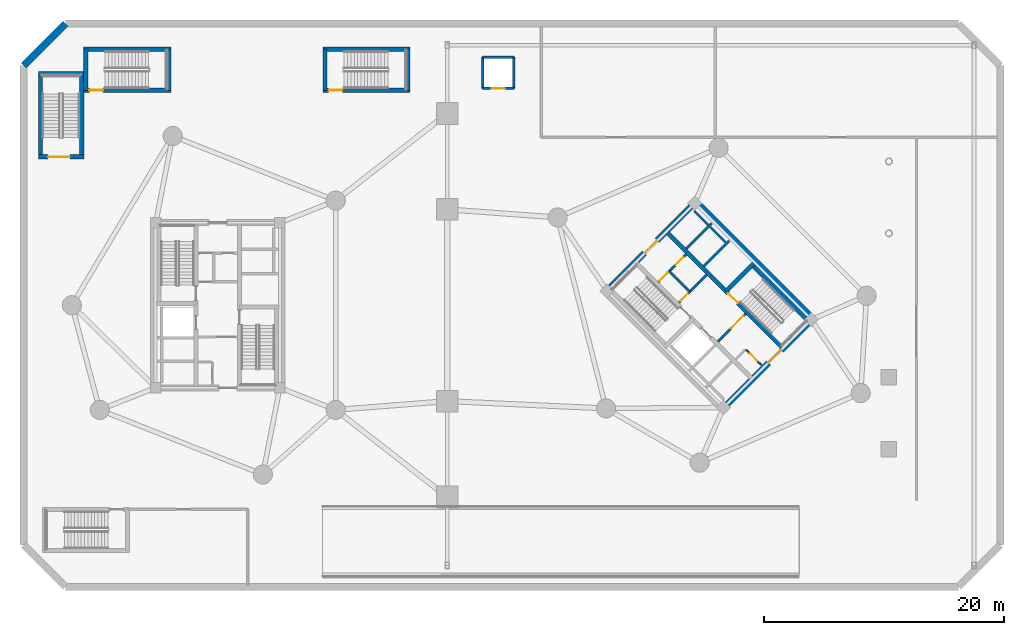
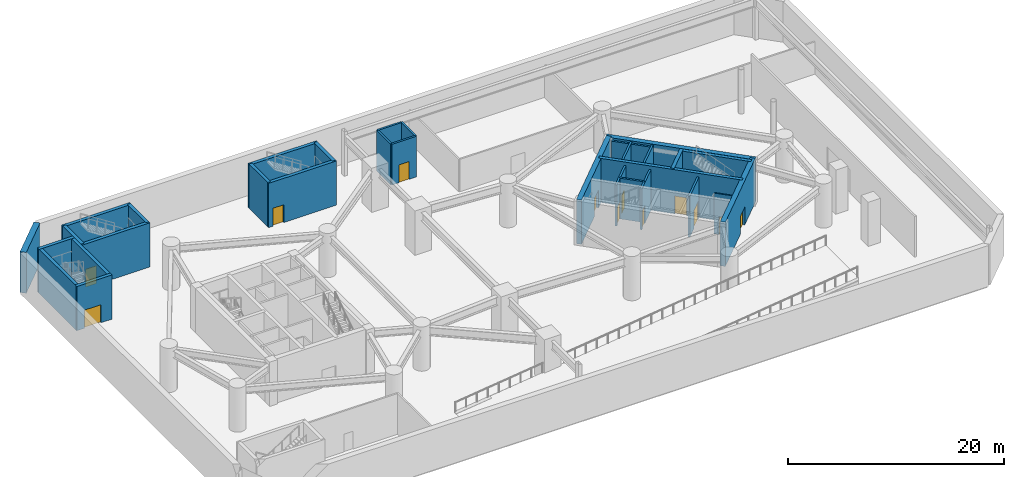
# One storey, part 7 of 14: 32 walls, 12 doors, 12 openings.
"""IFC4 building model written with IfcOpenShell, lengths in metres."""

from ifc_helpers import new_model, si_unit, direction, frame, frame_2d, origin, place, context, subcontext, project, spatial, rectangle, extrude, source, transform, mapped, material, layer, layer_set, type_object, element, fill, save


model = new_model("IFC4")

# Units and contexts
model_context = context("Model", 3, precision=1e-05, world=origin(), true_north=direction((0.0, 1.0)))
body_context = subcontext(model_context, "Body", "Model", "MODEL_VIEW")
ifc_project = project(units=[si_unit("LENGTHUNIT", "METRE"), si_unit("AREAUNIT", "SQUARE_METRE"), si_unit("VOLUMEUNIT", "CUBIC_METRE"), si_unit("PLANEANGLEUNIT", "RADIAN"), si_unit("MASSUNIT", "GRAM", prefix="KILO")], contexts=[model_context])

# Site, building, storey
site_placement = place(None, origin())
site = spatial("IfcSite", under=ifc_project, at=site_placement, CompositionType="ELEMENT")
building_placement = place(site_placement, origin())
building = spatial("IfcBuilding", under=site, at=building_placement, Name="Cununo Teusaquillo Station Towers", CompositionType="ELEMENT")
storey_placement = place(building_placement, frame((0.0, 0.0, -5.0)))
storey = spatial("IfcBuildingStorey", under=building, at=storey_placement, Name="B01", CompositionType="ELEMENT", Elevation=-5.0)

# Walls
ifc_material_1 = material(Name="Concrete C50/60", Category="concrete")
ifc_layer_1 = layer(ifc_material_1, 0.199951171875)
ifc_layer_set_1 = layer_set([ifc_layer_1], Name="Concrete C50/60")
wall_type_1 = type_object("IfcWallType", Name="WL-CORE-200", PredefinedType="SHEAR", material=ifc_layer_set_1)
wall_1_placement = place(storey_placement, frame((57.0615234375, 27.781005859375, 0.0), z_axis=(0.0, 0.0, 1.0), x_axis=(0.707106781187, 0.707106781187, 0.0)))
element("IfcWall", 1, at=wall_1_placement, inside=storey, type_object=wall_type_1, Name="B01 Tower B Low-Rise Lift Hoistway South Shear Wall", PredefinedType="SHEAR", context=body_context, shape_type="SweptSolid", body=[
    extrude(rectangle(XDim=2.969970703125, YDim=0.199951171875, at=frame_2d((1.48486328125, 0.0))), origin(), (0.0, 0.0, 1.0), 5.0),
])
wall_2_placement = place(storey_placement, frame((55.615478515625, 29.22705078125, 0.0), z_axis=(0.0, 0.0, 1.0), x_axis=(0.707147878904, 0.70706568108, 0.0)))
element("IfcWall", 2, at=wall_2_placement, inside=storey, type_object=wall_type_1, Name="B01 Tower B Low-Rise Lift Hoistway Divider Shear Wall", PredefinedType="SHEAR", context=body_context, shape_type="SweptSolid", body=[
    extrude(rectangle(XDim=2.97021484375, YDim=0.199951171875, at=frame_2d((1.485107421875, 0.0))), origin(), (0.0, 0.0, 1.0), 5.0),
])
wall_3_placement = place(storey_placement, frame((58.86474609375, 29.75390625, 0.0), z_axis=(0.0, 0.0, 1.0), x_axis=(-0.707174411312, 0.707039144592, 0.0)))
element("IfcWall", 3, at=wall_3_placement, inside=storey, type_object=wall_type_1, Name="B01 Tower B Low-Rise Lift 1 Shaft Rear Shear Wall", PredefinedType="SHEAR", context=body_context, shape_type="SweptSolid", body=[
    extrude(rectangle(XDim=1.804931640625, YDim=0.199951171875, at=frame_2d((0.90234375, 0.0))), origin(), (0.0, 0.0, 1.0), 5.0),
])
wall_4_placement = place(storey_placement, frame((57.418701171875, 31.19970703125, 0.0), z_axis=(0.0, 0.0, 1.0), x_axis=(-0.707032117043, 0.707181437447, 0.0)))
element("IfcWall", 4, at=wall_4_placement, inside=storey, type_object=wall_type_1, Name="B01 Tower B Low-Rise Lift 2 Shaft Rear Shear Wall", PredefinedType="SHEAR", context=body_context, shape_type="SweptSolid", body=[
    extrude(rectangle(XDim=1.635009765625, YDim=0.199951171875, at=frame_2d((0.8173828125, 0.0))), origin(), (0.0, 0.0, 1.0), 5.0),
])

# Wall, opening, door
ifc_material_2 = material(Name="Concrete C50/60", Category="concrete")
ifc_layer_2 = layer(ifc_material_2, 0.35009765625)
ifc_layer_set_2 = layer_set([ifc_layer_2], Name="Concrete C50/60")
wall_type_2 = type_object("IfcWallType", Name="WL-CORE-350", PredefinedType="SHEAR", material=ifc_layer_set_2)
wall_5_placement = place(storey_placement, frame((25.260009765625, 42.43505859375, 0.0), z_axis=(0.0, 0.0, 1.0), x_axis=(1.0, 0.0, 0.0)))
wall_5 = element("IfcWall", 5, at=wall_5_placement, inside=storey, type_object=wall_type_2, Name="B01 Podium North Exit Stair Concrete Shaft Wall S", PredefinedType="SHEAR", context=body_context, shape_type="SweptSolid", body=[
    extrude(rectangle(XDim=7.280029296875, YDim=0.35009765625, at=frame_2d((3.64013671875, 0.0))), origin(), (0.0, 0.0, 1.0), 5.0),
])
shared_shape_1 = source(origin(), body_context, "Body", "SweptSolid", [
    extrude(rectangle(XDim=1.14990234375, YDim=2.02001953125, at=frame_2d((0.574951171875, 1.010009765625))), frame((0.0, 0.18505859375, 0.0), z_axis=(0.0, -1.0, 0.0), x_axis=(1.0, 0.0, 0.0)), (0.0, 0.0, 1.0), 0.3701171875),
])
opening_1_placement = place(wall_5_placement, frame((0.47998046875, 0.0, 0.0)))
opening_1 = element("IfcOpeningElement", 6, at=opening_1_placement, cuts=wall_5, Name="Opening D-ST1", PredefinedType="OPENING", context=body_context, shape_type="MappedRepresentation", body=[
    mapped(shared_shape_1, transform((0.0, 0.0, 0.0), x_axis=(1.0, 0.0, 0.0), y_axis=(0.0, 1.0, 0.0), z_axis=(0.0, 0.0, 1.0), scale=1.0)),
])
ifc_material_3 = material(Name="Galvanised fire-rated hollow steel door assembly", Category="steel")
door_type_1 = type_object("IfcDoorType", Name="DR-STAIR-1150", OperationType="NOTDEFINED", PredefinedType="DOOR", material=ifc_material_3)
shared_shape_2 = source(origin(), body_context, "Body", "SweptSolid", [
    extrude(rectangle(XDim=1.14990234375, YDim=2.02001953125, at=frame_2d((0.574951171875, 1.010009765625))), frame((0.0, 0.02490234375, 0.0), z_axis=(0.0, -1.0, 0.0), x_axis=(1.0, 0.0, 0.0)), (0.0, 0.0, 1.0), 0.050048828125),
])
door_1_placement = place(opening_1_placement, origin())
door_1 = element("IfcDoor", 7, at=door_1_placement, inside=storey, type_object=door_type_1, Name="B01 North Podium Exit Stair Door", OperationType="SINGLE_SWING_RIGHT", OverallHeight=2.02001953125, OverallWidth=1.14990234375, PredefinedType="DOOR", context=body_context, shape_type="MappedRepresentation", body=[
    mapped(shared_shape_2, transform((0.0, 0.0, 0.0), x_axis=(1.0, 0.0, 0.0), y_axis=(0.0, 1.0, 0.0), z_axis=(0.0, 0.0, 1.0), scale=1.0)),
])
fill(opening_1, door_1)

# Walls
wall_6_placement = place(storey_placement, frame((25.260009765625, 45.864990234375, 0.0), z_axis=(0.0, 0.0, 1.0), x_axis=(1.0, 0.0, 0.0)))
element("IfcWall", 8, at=wall_6_placement, inside=storey, type_object=wall_type_2, Name="B01 Podium North Exit Stair Concrete Shaft Wall N", PredefinedType="SHEAR", context=body_context, shape_type="SweptSolid", body=[
    extrude(rectangle(XDim=7.280029296875, YDim=0.35009765625, at=frame_2d((3.64013671875, 0.0))), origin(), (0.0, 0.0, 1.0), 5.0),
])
for number, where, z_axis, x_axis, name in (
    (9, (25.43505859375, 42.43505859375, 0.0), (0.0, 0.0, 1.0), (0.0, 1.0, 0.0), "B01 Podium North Exit Stair Concrete Shaft Wall W"),
    (10, (32.364990234375, 42.43505859375, 0.0), (0.0, 0.0, 1.0), (0.0, 1.0, 0.0), "B01 Podium North Exit Stair Concrete Shaft Wall E"),
):
    element("IfcWall", number, at=place(storey_placement, frame(where, z_axis=z_axis, x_axis=x_axis)), inside=storey, type_object=wall_type_2, Name=name, PredefinedType="SHEAR", context=body_context, shape_type="SweptSolid", body=[
        extrude(rectangle(XDim=3.429931640625, YDim=0.35009765625, at=frame_2d((1.71484375, 0.0))), origin(), (0.0, 0.0, 1.0), 5.0),
    ])

# Wall, opening, door
wall_7_placement = place(storey_placement, frame((1.5400390625, 36.885009765625, 0.0), z_axis=(0.0, 0.0, 1.0), x_axis=(1.0, 0.0, 0.0)))
wall_7 = element("IfcWall", 11, at=wall_7_placement, inside=storey, type_object=wall_type_2, Name="B01 Podium West Exit Stair Concrete Shaft Wall S", PredefinedType="SHEAR", context=body_context, shape_type="SweptSolid", body=[
    extrude(rectangle(XDim=3.780029296875, YDim=0.35009765625, at=frame_2d((1.89013671875, 0.0))), origin(), (0.0, 0.0, 1.0), 5.0),
])
shared_shape_3 = source(origin(), body_context, "Body", "SweptSolid", [
    extrude(rectangle(XDim=1.800048828125, YDim=2.050048828125, at=frame_2d((0.89990234375, 1.02490234375))), frame((0.0, 0.18505859375, 0.0), z_axis=(0.0, -1.0, 0.0), x_axis=(1.0, 0.0, 0.0)), (0.0, 0.0, 1.0), 0.3701171875),
])
opening_2_placement = place(wall_7_placement, frame((0.81494140625, 0.0, 0.0)))
opening_2 = element("IfcOpeningElement", 12, at=opening_2_placement, cuts=wall_7, Name="Opening D-BG1", PredefinedType="OPENING", context=body_context, shape_type="MappedRepresentation", body=[
    mapped(shared_shape_3, transform((0.0, 0.0, 0.0), x_axis=(1.0, 0.0, 0.0), y_axis=(0.0, 1.0, 0.0), z_axis=(0.0, 0.0, 1.0), scale=1.0)),
])
ifc_material_4 = material(Name="Galvanised fire-rated hollow steel door assembly", Category="steel")
door_type_2 = type_object("IfcDoorType", Name="DR-BRIDGE-1800", OperationType="DOUBLE_DOOR_SINGLE_SWING", PredefinedType="DOOR", material=ifc_material_4)
shared_shape_4 = source(origin(), body_context, "Body", "SweptSolid", [
    extrude(rectangle(XDim=1.800048828125, YDim=2.050048828125, at=frame_2d((0.89990234375, 1.02490234375))), frame((0.0, 0.02490234375, 0.0), z_axis=(0.0, -1.0, 0.0), x_axis=(1.0, 0.0, 0.0)), (0.0, 0.0, 1.0), 0.050048828125),
])
door_2_placement = place(opening_2_placement, origin())
door_2 = element("IfcDoor", 13, at=door_2_placement, inside=storey, type_object=door_type_2, Name="B01 West Podium Exit Stair Door", OperationType="DOUBLE_DOOR_SINGLE_SWING", OverallHeight=2.050048828125, OverallWidth=1.800048828125, PredefinedType="DOOR", context=body_context, shape_type="MappedRepresentation", body=[
    mapped(shared_shape_4, transform((0.0, 0.0, 0.0), x_axis=(1.0, 0.0, 0.0), y_axis=(0.0, 1.0, 0.0), z_axis=(0.0, 0.0, 1.0), scale=1.0)),
])
fill(opening_2, door_2)

# Walls
wall_8_placement = place(storey_placement, frame((1.5400390625, 43.81494140625, 0.0), z_axis=(0.0, 0.0, 1.0), x_axis=(1.0, 0.0, 0.0)))
element("IfcWall", 14, at=wall_8_placement, inside=storey, type_object=wall_type_2, Name="B01 Podium West Exit Stair Concrete Shaft Wall N", PredefinedType="SHEAR", context=body_context, shape_type="SweptSolid", body=[
    extrude(rectangle(XDim=3.780029296875, YDim=0.35009765625, at=frame_2d((1.89013671875, 0.0))), origin(), (0.0, 0.0, 1.0), 5.0),
])
for number, where, z_axis, x_axis, name in (
    (15, (1.715087890625, 36.885009765625, 0.0), (0.0, 0.0, 1.0), (0.0, 1.0, 0.0), "B01 Podium West Exit Stair Concrete Shaft Wall W"),
    (16, (5.14501953125, 36.885009765625, 0.0), (0.0, 0.0, 1.0), (0.0, 1.0, 0.0), "B01 Podium West Exit Stair Concrete Shaft Wall E"),
):
    element("IfcWall", number, at=place(storey_placement, frame(where, z_axis=z_axis, x_axis=x_axis)), inside=storey, type_object=wall_type_2, Name=name, PredefinedType="SHEAR", context=body_context, shape_type="SweptSolid", body=[
        extrude(rectangle(XDim=6.929931640625, YDim=0.35009765625, at=frame_2d((3.46484375, 0.0))), origin(), (0.0, 0.0, 1.0), 5.0),
    ])

# Wall, opening, door
wall_9_placement = place(storey_placement, frame((5.31005859375, 42.43505859375, 0.0), z_axis=(0.0, 0.0, 1.0), x_axis=(1.0, 0.0, 0.0)))
wall_9 = element("IfcWall", 17, at=wall_9_placement, inside=storey, type_object=wall_type_2, Name="B01 Podium North-West Exit Stair Concrete Shaft Wall S", PredefinedType="SHEAR", context=body_context, shape_type="SweptSolid", body=[
    extrude(rectangle(XDim=7.280029296875, YDim=0.35009765625, at=frame_2d((3.64013671875, 0.0))), origin(), (0.0, 0.0, 1.0), 5.0),
])
opening_3_placement = place(wall_9_placement, frame((0.47998046875, 0.0, 0.0)))
opening_3 = element("IfcOpeningElement", 18, at=opening_3_placement, cuts=wall_9, Name="Opening D-ST1", PredefinedType="OPENING", context=body_context, shape_type="MappedRepresentation", body=[
    mapped(shared_shape_1, transform((0.0, 0.0, 0.0), x_axis=(1.0, 0.0, 0.0), y_axis=(0.0, 1.0, 0.0), z_axis=(0.0, 0.0, 1.0), scale=1.0)),
])
door_3_placement = place(opening_3_placement, origin())
door_3 = element("IfcDoor", 19, at=door_3_placement, inside=storey, type_object=door_type_1, Name="B01 North-West Podium Exit Stair Door", OperationType="SINGLE_SWING_RIGHT", OverallHeight=2.02001953125, OverallWidth=1.14990234375, PredefinedType="DOOR", context=body_context, shape_type="MappedRepresentation", body=[
    mapped(shared_shape_2, transform((0.0, 0.0, 0.0), x_axis=(1.0, 0.0, 0.0), y_axis=(0.0, 1.0, 0.0), z_axis=(0.0, 0.0, 1.0), scale=1.0)),
])
fill(opening_3, door_3)

# Walls
wall_10_placement = place(storey_placement, frame((5.31005859375, 45.864990234375, 0.0), z_axis=(0.0, 0.0, 1.0), x_axis=(1.0, 0.0, 0.0)))
element("IfcWall", 20, at=wall_10_placement, inside=storey, type_object=wall_type_2, Name="B01 Podium North-West Exit Stair Concrete Shaft Wall N", PredefinedType="SHEAR", context=body_context, shape_type="SweptSolid", body=[
    extrude(rectangle(XDim=7.280029296875, YDim=0.35009765625, at=frame_2d((3.64013671875, 0.0))), origin(), (0.0, 0.0, 1.0), 5.0),
])
for number, where, z_axis, x_axis, name in (
    (21, (5.485107421875, 42.43505859375, 0.0), (0.0, 0.0, 1.0), (0.0, 1.0, 0.0), "B01 Podium North-West Exit Stair Concrete Shaft Wall W"),
    (22, (12.4150390625, 42.43505859375, 0.0), (0.0, 0.0, 1.0), (0.0, 1.0, 0.0), "B01 Podium North-West Exit Stair Concrete Shaft Wall E"),
):
    element("IfcWall", number, at=place(storey_placement, frame(where, z_axis=z_axis, x_axis=x_axis)), inside=storey, type_object=wall_type_2, Name=name, PredefinedType="SHEAR", context=body_context, shape_type="SweptSolid", body=[
        extrude(rectangle(XDim=3.429931640625, YDim=0.35009765625, at=frame_2d((1.71484375, 0.0))), origin(), (0.0, 0.0, 1.0), 5.0),
    ])

# Wall, opening, door
wall_11_placement = place(storey_placement, frame((63.662353515625, 20.904296875, 0.0), z_axis=(0.0, 0.0, 1.0), x_axis=(-0.707106781187, 0.707106781187, 0.0)))
wall_11 = element("IfcWall", 23, at=wall_11_placement, inside=storey, type_object=wall_type_2, Name="B01 Tower B Core Shear Wall IE", PredefinedType="SHEAR", context=body_context, shape_type="SweptSolid", body=[
    extrude(rectangle(XDim=13.800048828125, YDim=0.35009765625, at=frame_2d((6.89990234375, 0.0))), origin(), (0.0, 0.0, 1.0), 5.0),
])
opening_4_placement = place(wall_11_placement, frame((5.330078125, 0.0, 0.0)))
opening_4 = element("IfcOpeningElement", 24, at=opening_4_placement, cuts=wall_11, Name="Opening D-ST1", PredefinedType="OPENING", context=body_context, shape_type="MappedRepresentation", body=[
    mapped(shared_shape_1, transform((0.0, 0.0, 0.0), x_axis=(1.0, 0.0, 0.0), y_axis=(0.0, 1.0, 0.0), z_axis=(0.0, 0.0, 1.0), scale=1.0)),
])
door_4_placement = place(opening_4_placement, origin())
door_4 = element("IfcDoor", 25, at=door_4_placement, inside=storey, type_object=door_type_1, Name="B01 Tower B Exit Stair 2 Fire Door", OperationType="SINGLE_SWING_LEFT", OverallHeight=2.02001953125, OverallWidth=1.14990234375, PredefinedType="DOOR", context=body_context, shape_type="MappedRepresentation", body=[
    mapped(shared_shape_2, transform((0.0, 0.0, 0.0), x_axis=(1.0, 0.0, 0.0), y_axis=(0.0, 1.0, 0.0), z_axis=(0.0, 0.0, 1.0), scale=1.0)),
])
fill(opening_4, door_4)

# Walls
wall_12_placement = place(storey_placement, frame((65.847412109375, 23.08935546875, 0.0), z_axis=(0.0, 0.0, 1.0), x_axis=(-0.707106781187, 0.707106781187, 0.0)))
element("IfcWall", 26, at=wall_12_placement, inside=storey, type_object=wall_type_2, Name="B01 Tower B Core Shear Wall ST2E", PredefinedType="SHEAR", context=body_context, shape_type="SweptSolid", body=[
    extrude(rectangle(XDim=6.7451171875, YDim=0.35009765625, at=frame_2d((3.37255859375, 0.0))), origin(), (0.0, 0.0, 1.0), 5.0),
])
wall_13_placement = place(storey_placement, frame((58.89306640625, 25.673828125, 0.0), z_axis=(0.0, 0.0, 1.0), x_axis=(0.707106781187, 0.707106781187, 0.0)))
element("IfcWall", 27, at=wall_13_placement, inside=storey, type_object=wall_type_2, Name="B01 Tower B Core Shear Wall ST2N", PredefinedType="SHEAR", context=body_context, shape_type="SweptSolid", body=[
    extrude(rectangle(XDim=3.284912109375, YDim=0.35009765625, at=frame_2d((1.642578125, 0.0))), origin(), (0.0, 0.0, 1.0), 5.0),
])
ifc_material_5 = material(Name="Concrete C60/75", Category="concrete")
ifc_layer_3 = layer(ifc_material_5, 0.5)
ifc_layer_set_3 = layer_set([ifc_layer_3], Name="Concrete C60/75")
wall_type_3 = type_object("IfcWallType", Name="WL-CORE-500", PredefinedType="SHEAR", material=ifc_layer_set_3)
wall_14_placement = place(storey_placement, frame((66.3388671875, 23.227294921875, 0.0), z_axis=(0.0, 0.0, 1.0), x_axis=(-0.707106781187, 0.707106781187, 0.0)))
element("IfcWall", 28, at=wall_14_placement, inside=storey, type_object=wall_type_3, Name="B01 Tower B Core Shear Wall E", PredefinedType="SHEAR", context=body_context, shape_type="SweptSolid", body=[
    extrude(rectangle(XDim=14.2998046875, YDim=0.5, at=frame_2d((7.14990234375, 0.0))), origin(), (0.0, 0.0, 1.0), 5.0),
])

# Wall, opening, door
wall_15_placement = place(storey_placement, frame((58.595947265625, 15.837890625, 0.0), z_axis=(0.0, 0.0, 1.0), x_axis=(0.707106781187, 0.707106781187, 0.0)))
wall_15 = element("IfcWall", 29, at=wall_15_placement, inside=storey, type_object=wall_type_3, Name="B01 Tower B Core Shear Wall S", PredefinedType="SHEAR", context=body_context, shape_type="SweptSolid", body=[
    extrude(rectangle(XDim=10.7001953125, YDim=0.5, at=frame_2d((5.35009765625, 0.0))), origin(), (0.0, 0.0, 1.0), 5.0),
])
shared_shape_5 = source(origin(), body_context, "Body", "SweptSolid", [
    extrude(rectangle(XDim=1.5, YDim=2.02001953125, at=frame_2d((0.75, 1.010009765625))), frame((0.0, 0.260009765625, 0.0), z_axis=(0.0, -1.0, 0.0), x_axis=(1.0, 0.0, 0.0)), (0.0, 0.0, 1.0), 0.52001953125),
])
opening_5_placement = place(wall_15_placement, frame((5.449951171875, 0.0, 0.0)))
opening_5 = element("IfcOpeningElement", 30, at=opening_5_placement, cuts=wall_15, Name="Opening D-LB1", PredefinedType="OPENING", context=body_context, shape_type="MappedRepresentation", body=[
    mapped(shared_shape_5, transform((0.0, 0.0, 0.0), x_axis=(1.0, 0.0, 0.0), y_axis=(0.0, 1.0, 0.0), z_axis=(0.0, 0.0, 1.0), scale=1.0)),
])
ifc_material_6 = material(Name="Galvanised fire-rated hollow steel door assembly", Category="steel")
door_type_3 = type_object("IfcDoorType", Name="DR-LOBBY-1500", OperationType="DOUBLE_DOOR_SINGLE_SWING", PredefinedType="DOOR", material=ifc_material_6)
shared_shape_6 = source(origin(), body_context, "Body", "SweptSolid", [
    extrude(rectangle(XDim=1.5, YDim=2.02001953125, at=frame_2d((0.75, 1.010009765625))), frame((0.0, 0.02490234375, 0.0), z_axis=(0.0, -1.0, 0.0), x_axis=(1.0, 0.0, 0.0)), (0.0, 0.0, 1.0), 0.050048828125),
])
door_5_placement = place(opening_5_placement, origin())
door_5 = element("IfcDoor", 31, at=door_5_placement, inside=storey, type_object=door_type_3, Name="B01 Tower B South Core Lift Lobby Door", OperationType="DOUBLE_DOOR_SINGLE_SWING", OverallHeight=2.02001953125, OverallWidth=1.5, PredefinedType="DOOR", context=body_context, shape_type="MappedRepresentation", body=[
    mapped(shared_shape_6, transform((0.0, 0.0, 0.0), x_axis=(1.0, 0.0, 0.0), y_axis=(0.0, 1.0, 0.0), z_axis=(0.0, 0.0, 1.0), scale=1.0)),
])
fill(opening_5, door_5)

wall_16_placement = place(storey_placement, frame((48.837890625, 25.595947265625, 0.0), z_axis=(0.0, 0.0, 1.0), x_axis=(0.707106781187, 0.707106781187, 0.0)))
wall_16 = element("IfcWall", 32, at=wall_16_placement, inside=storey, type_object=wall_type_3, Name="B01 Tower B Core Shear Wall N", PredefinedType="SHEAR", context=body_context, shape_type="SweptSolid", body=[
    extrude(rectangle(XDim=10.7001953125, YDim=0.5, at=frame_2d((5.35009765625, 0.0))), origin(), (0.0, 0.0, 1.0), 5.0),
])
opening_6_placement = place(wall_16_placement, frame((4.60009765625, 0.0, 0.0)))
opening_6 = element("IfcOpeningElement", 33, at=opening_6_placement, cuts=wall_16, Name="Opening D-LB1", PredefinedType="OPENING", context=body_context, shape_type="MappedRepresentation", body=[
    mapped(shared_shape_5, transform((0.0, 0.0, 0.0), x_axis=(1.0, 0.0, 0.0), y_axis=(0.0, 1.0, 0.0), z_axis=(0.0, 0.0, 1.0), scale=1.0)),
])
door_6_placement = place(opening_6_placement, origin())
door_6 = element("IfcDoor", 34, at=door_6_placement, inside=storey, type_object=door_type_3, Name="B01 Tower B North Core Lift Lobby Door", OperationType="DOUBLE_DOOR_SINGLE_SWING", OverallHeight=2.02001953125, OverallWidth=1.5, PredefinedType="DOOR", context=body_context, shape_type="MappedRepresentation", body=[
    mapped(shared_shape_6, transform((0.0, 0.0, 0.0), x_axis=(1.0, 0.0, 0.0), y_axis=(0.0, 1.0, 0.0), z_axis=(0.0, 0.0, 1.0), scale=1.0)),
])
fill(opening_6, door_6)

ifc_material_7 = material(Name="Fire-rated gypsum plasterboard partition assembly", Category="gypsum")
ifc_layer_4 = layer(ifc_material_7, 0.125)
ifc_layer_set_4 = layer_set([ifc_layer_4], Name="Fire-rated gypsum plasterboard partition assembly")
wall_type_4 = type_object("IfcWallType", Name="WL-PART-125", PredefinedType="PARTITIONING", material=ifc_layer_set_4)
wall_17_placement = place(storey_placement, frame((61.834716796875, 19.529052734375, 0.0), z_axis=(0.0, 0.0, 1.0), x_axis=(-0.707174592913, 0.707038962956, 0.0)))
wall_17 = element("IfcWall", 35, at=wall_17_placement, inside=storey, type_object=wall_type_4, Name="B01 Tower B South-West Compact Store East Wall", PredefinedType="PARTITIONING", context=body_context, shape_type="SweptSolid", body=[
    extrude(rectangle(XDim=1.800048828125, YDim=0.125, at=frame_2d((0.89990234375, 0.0))), origin(), (0.0, 0.0, 1.0), 4.60498046875),
])
shared_shape_7 = source(origin(), body_context, "Body", "SweptSolid", [
    extrude(rectangle(XDim=0.89990234375, YDim=2.0048828125, at=frame_2d((0.449951171875, 1.00244140625))), frame((0.0, 0.072509765625, 0.0), z_axis=(0.0, -1.0, 0.0), x_axis=(1.0, 0.0, 0.0)), (0.0, 0.0, 1.0), 0.14501953125),
])
opening_7_placement = place(wall_17_placement, frame((0.419921875, 0.0, 0.0)))
opening_7 = element("IfcOpeningElement", 36, at=opening_7_placement, cuts=wall_17, Name="Opening D-SR1", PredefinedType="OPENING", context=body_context, shape_type="MappedRepresentation", body=[
    mapped(shared_shape_7, transform((0.0, 0.0, 0.0), x_axis=(1.0, 0.0, 0.0), y_axis=(0.0, 1.0, 0.0), z_axis=(0.0, 0.0, 1.0), scale=1.0)),
])
ifc_material_8 = material(Name="Galvanised fire-rated hollow steel door assembly", Category="steel")
door_type_4 = type_object("IfcDoorType", Name="DR-STORE-900", OperationType="NOTDEFINED", PredefinedType="DOOR", material=ifc_material_8)
shared_shape_8 = source(origin(), body_context, "Body", "SweptSolid", [
    extrude(rectangle(XDim=0.89990234375, YDim=2.0048828125, at=frame_2d((0.449951171875, 1.00244140625))), frame((0.0, 0.02490234375, 0.0), z_axis=(0.0, -1.0, 0.0), x_axis=(1.0, 0.0, 0.0)), (0.0, 0.0, 1.0), 0.050048828125),
])
door_7_placement = place(opening_7_placement, origin())
door_7 = element("IfcDoor", 37, at=door_7_placement, inside=storey, type_object=door_type_4, Name="B01 Tower B Core Electrical & Comms Store Door", OperationType="SINGLE_SWING_RIGHT", OverallHeight=2.0048828125, OverallWidth=0.89990234375, PredefinedType="DOOR", context=body_context, shape_type="MappedRepresentation", body=[
    mapped(shared_shape_8, transform((0.0, 0.0, 0.0), x_axis=(1.0, 0.0, 0.0), y_axis=(0.0, 1.0, 0.0), z_axis=(0.0, 0.0, 1.0), scale=1.0)),
])
fill(opening_7, door_7)

ifc_material_9 = material(Name="Fire-rated gypsum plasterboard partition assembly", Category="gypsum")
ifc_layer_5 = layer(ifc_material_9, 0.199951171875)
ifc_layer_set_5 = layer_set([ifc_layer_5], Name="Fire-rated gypsum plasterboard partition assembly")
wall_type_5 = type_object("IfcWallType", Name="WL-PART-200", PredefinedType="PARTITIONING", material=ifc_layer_set_5)
wall_18_placement = place(storey_placement, frame((38.60009765625, 42.60009765625, 0.0), z_axis=(0.0, 0.0, 1.0), x_axis=(1.0, 0.0, 0.0)))
wall_18 = element("IfcWall", 38, at=wall_18_placement, inside=storey, type_object=wall_type_5, Name="B01 Podium Lift Shaft Enclosure Wall S", PredefinedType="PARTITIONING", context=body_context, shape_type="SweptSolid", body=[
    extrude(rectangle(XDim=2.599853515625, YDim=0.199951171875, at=frame_2d((1.2998046875, 0.0))), origin(), (0.0, 0.0, 1.0), 4.60498046875),
])
shared_shape_9 = source(origin(), body_context, "Body", "SweptSolid", [
    extrude(rectangle(XDim=1.10009765625, YDim=2.014892578125, at=frame_2d((0.550048828125, 1.00732421875))), frame((0.0, 0.10986328125, 0.0), z_axis=(0.0, -1.0, 0.0), x_axis=(1.0, 0.0, 0.0)), (0.0, 0.0, 1.0), 0.219970703125),
])
opening_8_placement = place(wall_18_placement, frame((0.75, 0.0, 0.0)))
opening_8 = element("IfcOpeningElement", 39, at=opening_8_placement, cuts=wall_18, Name="Opening LD-01", PredefinedType="OPENING", context=body_context, shape_type="MappedRepresentation", body=[
    mapped(shared_shape_9, transform((0.0, 0.0, 0.0), x_axis=(1.0, 0.0, 0.0), y_axis=(0.0, 1.0, 0.0), z_axis=(0.0, 0.0, 1.0), scale=1.0)),
])
ifc_material_10 = material(Name="Galvanised fire-rated hollow steel door assembly", Category="steel")
door_type_5 = type_object("IfcDoorType", Name="DR-LIFT-1100", OperationType="SLIDING_TO_LEFT", PredefinedType="DOOR", material=ifc_material_10)
shared_shape_10 = source(origin(), body_context, "Body", "SweptSolid", [
    extrude(rectangle(XDim=1.10009765625, YDim=2.014892578125, at=frame_2d((0.550048828125, 1.00732421875))), frame((0.0, 0.02490234375, 0.0), z_axis=(0.0, -1.0, 0.0), x_axis=(1.0, 0.0, 0.0)), (0.0, 0.0, 1.0), 0.050048828125),
])
door_8_placement = place(opening_8_placement, origin())
door_8 = element("IfcDoor", 40, at=door_8_placement, inside=storey, type_object=door_type_5, Name="B01 Lift PL-POD1 Sliding Landing Door", OperationType="SLIDING_TO_RIGHT", OverallHeight=2.014892578125, OverallWidth=1.10009765625, PredefinedType="DOOR", context=body_context, shape_type="MappedRepresentation", body=[
    mapped(shared_shape_10, transform((0.0, 0.0, 0.0), x_axis=(1.0, 0.0, 0.0), y_axis=(0.0, 1.0, 0.0), z_axis=(0.0, 0.0, 1.0), scale=1.0)),
])
fill(opening_8, door_8)

# Walls
for number, where, z_axis, x_axis, name in (
    (41, (38.60009765625, 45.199951171875, 0.0), (0.0, 0.0, 1.0), (1.0, 0.0, 0.0), "B01 Podium Lift Shaft Enclosure Wall N"),
    (42, (38.60009765625, 42.60009765625, 0.0), (0.0, 0.0, 1.0), (0.0, 1.0, 0.0), "B01 Podium Lift Shaft Enclosure Wall W"),
    (43, (41.199951171875, 42.60009765625, 0.0), (0.0, 0.0, 1.0), (0.0, 1.0, 0.0), "B01 Podium Lift Shaft Enclosure Wall E"),
):
    element("IfcWall", number, at=place(storey_placement, frame(where, z_axis=z_axis, x_axis=x_axis)), inside=storey, type_object=wall_type_5, Name=name, PredefinedType="PARTITIONING", context=body_context, shape_type="SweptSolid", body=[
        extrude(rectangle(XDim=2.599853515625, YDim=0.199951171875, at=frame_2d((1.2998046875, 0.0))), origin(), (0.0, 0.0, 1.0), 4.60498046875),
    ])

# Wall, opening, door
wall_19_placement = place(storey_placement, frame((58.214111328125, 21.466552734375, 0.0), z_axis=(0.0, 0.0, 1.0), x_axis=(0.707106781187, 0.707106781187, 0.0)))
wall_19 = element("IfcWall", 44, at=wall_19_placement, inside=storey, type_object=wall_type_5, Name="B01 Tower B Firefighting Lift Lobby South Fire Wall", PredefinedType="PARTITIONING", context=body_context, shape_type="SweptSolid", body=[
    extrude(rectangle(XDim=3.280029296875, YDim=0.199951171875, at=frame_2d((1.64013671875, 0.0))), origin(), (0.0, 0.0, 1.0), 4.60498046875),
])
shared_shape_11 = source(origin(), body_context, "Body", "SweptSolid", [
    extrude(rectangle(XDim=1.5, YDim=2.02001953125, at=frame_2d((0.75, 1.010009765625))), frame((0.0, 0.10986328125, 0.0), z_axis=(0.0, -1.0, 0.0), x_axis=(1.0, 0.0, 0.0)), (0.0, 0.0, 1.0), 0.219970703125),
])
opening_9_placement = place(wall_19_placement, frame((1.550048828125, 0.0, 0.0)))
opening_9 = element("IfcOpeningElement", 45, at=opening_9_placement, cuts=wall_19, Name="Opening D-LB1", PredefinedType="OPENING", context=body_context, shape_type="MappedRepresentation", body=[
    mapped(shared_shape_11, transform((0.0, 0.0, 0.0), x_axis=(1.0, 0.0, 0.0), y_axis=(0.0, 1.0, 0.0), z_axis=(0.0, 0.0, 1.0), scale=1.0)),
])
door_9_placement = place(opening_9_placement, origin())
door_9 = element("IfcDoor", 46, at=door_9_placement, inside=storey, type_object=door_type_3, Name="B01 Tower B Firefighting Lift Lobby South Fire Door", OperationType="DOUBLE_DOOR_SINGLE_SWING", OverallHeight=2.02001953125, OverallWidth=1.5, PredefinedType="DOOR", context=body_context, shape_type="MappedRepresentation", body=[
    mapped(shared_shape_6, transform((0.0, 0.0, 0.0), x_axis=(1.0, 0.0, 0.0), y_axis=(0.0, 1.0, 0.0), z_axis=(0.0, 0.0, 1.0), scale=1.0)),
])
fill(opening_9, door_9)

wall_20_placement = place(storey_placement, frame((54.96142578125, 24.71923828125, 0.0), z_axis=(0.0, 0.0, 1.0), x_axis=(0.707106781187, 0.707106781187, 0.0)))
wall_20 = element("IfcWall", 47, at=wall_20_placement, inside=storey, type_object=wall_type_5, Name="B01 Tower B Firefighting Lift Lobby North Fire Wall", PredefinedType="PARTITIONING", context=body_context, shape_type="SweptSolid", body=[
    extrude(rectangle(XDim=3.280029296875, YDim=0.199951171875, at=frame_2d((1.64013671875, 0.0))), origin(), (0.0, 0.0, 1.0), 4.60498046875),
])
shared_shape_12 = source(origin(), body_context, "Body", "SweptSolid", [
    extrude(rectangle(XDim=0.89990234375, YDim=2.0048828125, at=frame_2d((0.449951171875, 1.00244140625))), frame((0.0, 0.10986328125, 0.0), z_axis=(0.0, -1.0, 0.0), x_axis=(1.0, 0.0, 0.0)), (0.0, 0.0, 1.0), 0.219970703125),
])
opening_10_placement = place(wall_20_placement, frame((0.159912109375, 0.0, 0.0)))
opening_10 = element("IfcOpeningElement", 48, at=opening_10_placement, cuts=wall_20, Name="Opening D-SR1", PredefinedType="OPENING", context=body_context, shape_type="MappedRepresentation", body=[
    mapped(shared_shape_12, transform((0.0, 0.0, 0.0), x_axis=(1.0, 0.0, 0.0), y_axis=(0.0, 1.0, 0.0), z_axis=(0.0, 0.0, 1.0), scale=1.0)),
])
door_10_placement = place(opening_10_placement, origin())
door_10 = element("IfcDoor", 49, at=door_10_placement, inside=storey, type_object=door_type_4, Name="B01 Tower B Stair 1 Protected Vestibule South Door", OperationType="SINGLE_SWING_RIGHT", OverallHeight=2.0048828125, OverallWidth=0.89990234375, PredefinedType="DOOR", context=body_context, shape_type="MappedRepresentation", body=[
    mapped(shared_shape_8, transform((0.0, 0.0, 0.0), x_axis=(1.0, 0.0, 0.0), y_axis=(0.0, 1.0, 0.0), z_axis=(0.0, 0.0, 1.0), scale=1.0)),
])
fill(opening_10, door_10)

# Wall
wall_21_placement = place(storey_placement, frame((55.873779296875, 25.63134765625, 0.0), z_axis=(0.0, 0.0, 1.0), x_axis=(-0.707157639372, 0.707055919343, 0.0)))
element("IfcWall", 50, at=wall_21_placement, inside=storey, type_object=wall_type_5, Name="B01 Tower B Stair 1 Vestibule Partition Wall", PredefinedType="PARTITIONING", context=body_context, shape_type="SweptSolid", body=[
    extrude(rectangle(XDim=2.400146484375, YDim=0.199951171875, at=frame_2d((1.2001953125, 0.0))), origin(), (0.0, 0.0, 1.0), 4.60498046875),
])

# Wall, openings, doors
wall_22_placement = place(storey_placement, frame((53.264404296875, 26.416259765625, 0.0), z_axis=(0.0, 0.0, 1.0), x_axis=(0.707106781187, 0.707106781187, 0.0)))
wall_22 = element("IfcWall", 51, at=wall_22_placement, inside=storey, type_object=wall_type_5, Name="B01 Tower B North Lift Lobby South Fire Wall", PredefinedType="PARTITIONING", context=body_context, shape_type="SweptSolid", body=[
    extrude(rectangle(XDim=3.280029296875, YDim=0.199951171875, at=frame_2d((1.64013671875, 0.0))), origin(), (0.0, 0.0, 1.0), 4.60498046875),
])
shared_shape_13 = source(origin(), body_context, "Body", "SweptSolid", [
    extrude(rectangle(XDim=1.0, YDim=2.014892578125, at=frame_2d((0.5, 1.00732421875))), frame((0.0, 0.10986328125, 0.0), z_axis=(0.0, -1.0, 0.0), x_axis=(1.0, 0.0, 0.0)), (0.0, 0.0, 1.0), 0.219970703125),
])
opening_11_placement = place(wall_22_placement, frame((0.139892578125, 0.0, 0.0)))
opening_11 = element("IfcOpeningElement", 52, at=opening_11_placement, cuts=wall_22, Name="Opening D-AC1", PredefinedType="OPENING", context=body_context, shape_type="MappedRepresentation", body=[
    mapped(shared_shape_13, transform((0.0, 0.0, 0.0), x_axis=(1.0, 0.0, 0.0), y_axis=(0.0, 1.0, 0.0), z_axis=(0.0, 0.0, 1.0), scale=1.0)),
])
opening_12_placement = place(wall_22_placement, frame((2.050048828125, 0.0, 0.0)))
opening_12 = element("IfcOpeningElement", 53, at=opening_12_placement, cuts=wall_22, Name="Opening D-SR1", PredefinedType="OPENING", context=body_context, shape_type="MappedRepresentation", body=[
    mapped(shared_shape_12, transform((0.0, 0.0, 0.0), x_axis=(1.0, 0.0, 0.0), y_axis=(0.0, 1.0, 0.0), z_axis=(0.0, 0.0, 1.0), scale=1.0)),
])
door_11_placement = place(opening_12_placement, origin())
door_11 = element("IfcDoor", 54, at=door_11_placement, inside=storey, type_object=door_type_4, Name="B01 Tower B Core Housekeeping & Linen Store Door", OperationType="SINGLE_SWING_LEFT", OverallHeight=2.0048828125, OverallWidth=0.89990234375, PredefinedType="DOOR", context=body_context, shape_type="MappedRepresentation", body=[
    mapped(shared_shape_8, transform((0.0, 0.0, 0.0), x_axis=(1.0, 0.0, 0.0), y_axis=(0.0, 1.0, 0.0), z_axis=(0.0, 0.0, 1.0), scale=1.0)),
])
fill(opening_12, door_11)
ifc_material_11 = material(Name="Acoustic solid-core hardwood leaf assembly", Category="wood")
door_type_6 = type_object("IfcDoorType", Name="DR-ACC-1000", OperationType="NOTDEFINED", PredefinedType="DOOR", material=ifc_material_11)
shared_shape_14 = source(origin(), body_context, "Body", "SweptSolid", [
    extrude(rectangle(XDim=1.0, YDim=2.014892578125, at=frame_2d((0.5, 1.00732421875))), frame((0.0, 0.02490234375, 0.0), z_axis=(0.0, -1.0, 0.0), x_axis=(1.0, 0.0, 0.0)), (0.0, 0.0, 1.0), 0.050048828125),
])
door_12_placement = place(opening_11_placement, origin())
door_12 = element("IfcDoor", 55, at=door_12_placement, inside=storey, type_object=door_type_6, Name="B01 Tower B North Lift Lobby to Stair 1 Vestibule Door", OperationType="SINGLE_SWING_LEFT", OverallHeight=2.014892578125, OverallWidth=1.0, PredefinedType="DOOR", context=body_context, shape_type="MappedRepresentation", body=[
    mapped(shared_shape_14, transform((0.0, 0.0, 0.0), x_axis=(1.0, 0.0, 0.0), y_axis=(0.0, 1.0, 0.0), z_axis=(0.0, 0.0, 1.0), scale=1.0)),
])
fill(opening_11, door_12)

# Wall
ifc_material_12 = material(Name="Concrete C50/60", Category="concrete")
ifc_layer_6 = layer(ifc_material_12, 0.60009765625)
ifc_layer_set_6 = layer_set([ifc_layer_6], Name="Concrete C50/60")
wall_type_6 = type_object("IfcWallType", Name="WL-RET-600", PredefinedType="SOLIDWALL", material=ifc_layer_set_6)
wall_23_placement = place(storey_placement, frame((3.800048828125, 48.0, 0.0), z_axis=(0.0, 0.0, 1.0), x_axis=(-0.707106781187, -0.707106781187, 0.0)))
element("IfcWall", 56, at=wall_23_placement, inside=storey, type_object=wall_type_6, Name="B01 Basement Diaphragm Retaining Wall 6", PredefinedType="SOLIDWALL", context=body_context, shape_type="SweptSolid", body=[
    extrude(rectangle(XDim=4.94970703125, YDim=0.60009765625, at=frame_2d((2.474853515625, 0.0))), origin(), (0.0, 0.0, 1.0), 4.6201171875),
])

save(model, "model.ifc")
